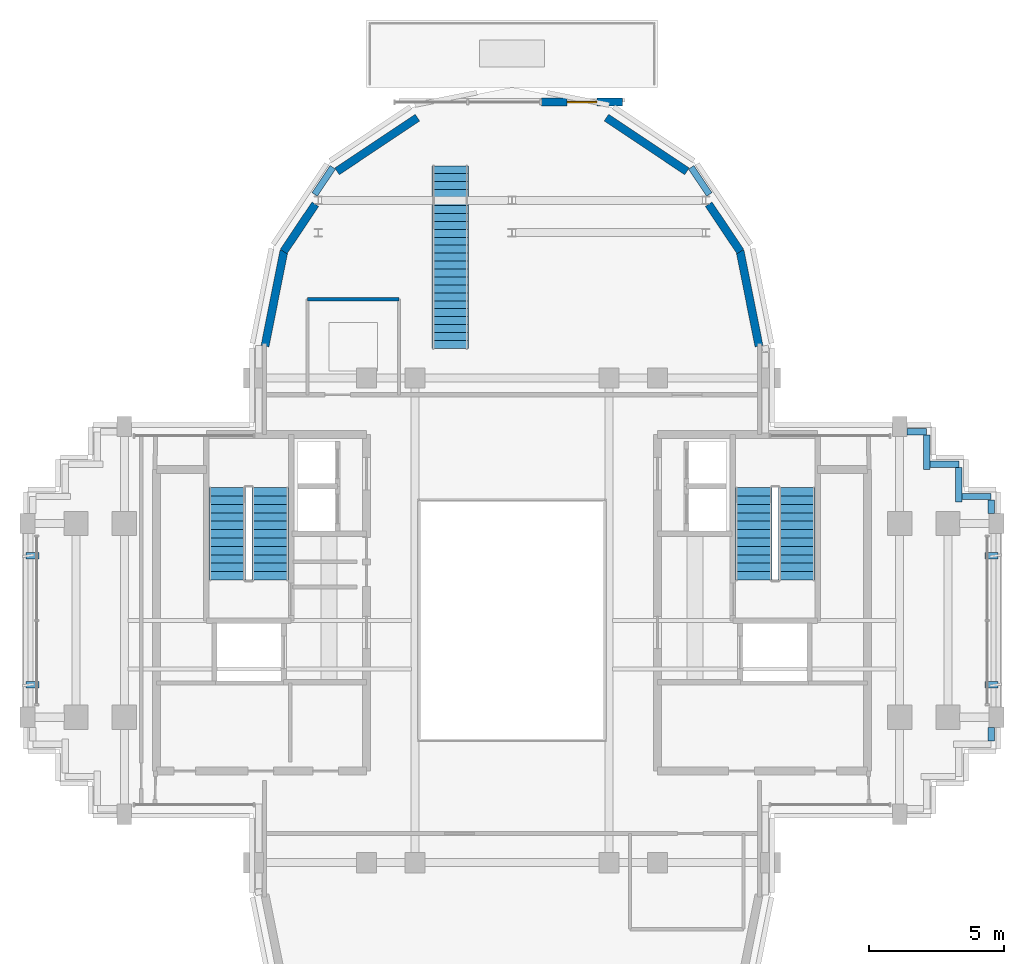
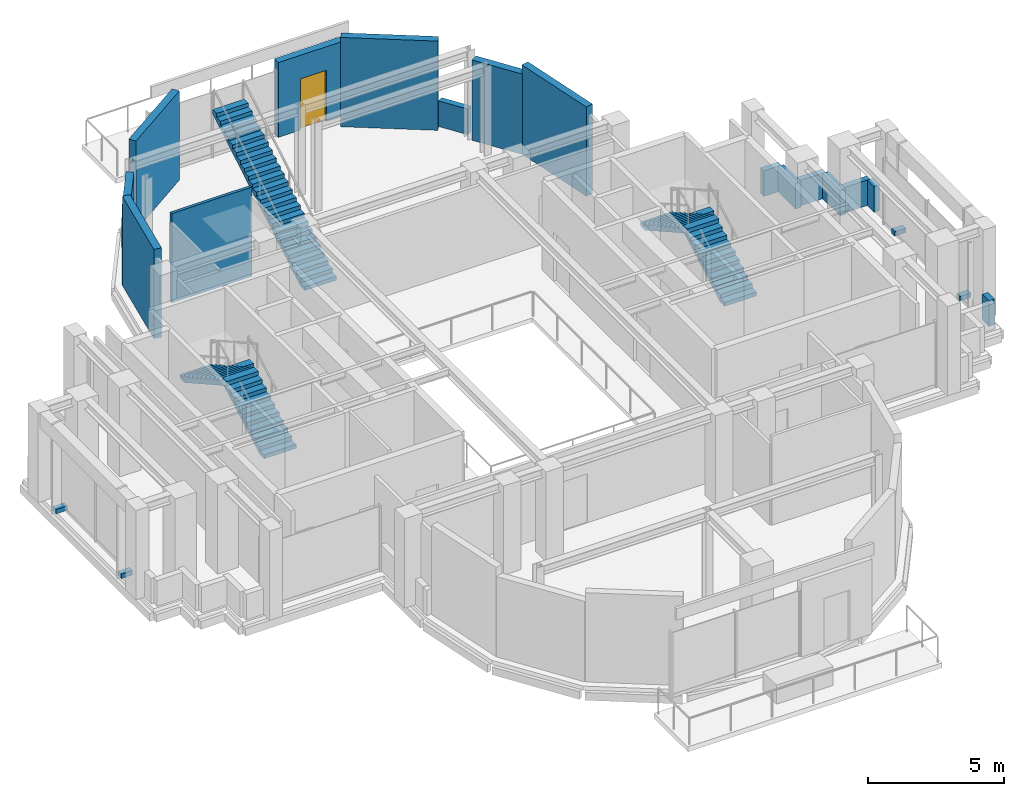
# One storey, part 10 of 14: 17 walls, 5 stair flights, 4 discrete accessories, 1 door, 1 opening, 3 elements without a shape of their own.
"""IFC4 building model written with IfcOpenShell, lengths in metres."""

from ifc_helpers import new_model, si_unit, direction, frame, frame_2d, origin, origin_2d, place, context, subcontext, project, spatial, polyline, rectangle, outline, extrude, source, transform, mapped, material, layer, layer_set, type_object, element, fill, aggregate, save


model = new_model("IFC4")

# Units and contexts
model_context = context("Model", 3, precision=1e-05, world=origin(), true_north=direction((0.0, 1.0)))
body_context = subcontext(model_context, "Body", "Model", "MODEL_VIEW")
ifc_project = project(units=[si_unit("LENGTHUNIT", "METRE"), si_unit("AREAUNIT", "SQUARE_METRE"), si_unit("VOLUMEUNIT", "CUBIC_METRE"), si_unit("PLANEANGLEUNIT", "RADIAN"), si_unit("MASSUNIT", "GRAM", prefix="KILO")], contexts=[model_context])

# Site, building, storey
site_placement = place(None, origin())
site = spatial("IfcSite", under=ifc_project, at=site_placement, CompositionType="ELEMENT")
building_placement = place(site_placement, origin())
building = spatial("IfcBuilding", under=site, at=building_placement, Name="Keilestroom Media Tower", CompositionType="ELEMENT")
storey_placement = place(building_placement, frame((0.0, 0.0, 219.39990234375)))
storey = spatial("IfcBuildingStorey", under=building, at=storey_placement, Name="L60", CompositionType="ELEMENT", Elevation=219.39990234375)

# Walls
ifc_material_1 = material(Name="Precast concrete C40/50", Category="concrete")
ifc_layer_1 = layer(ifc_material_1, 0.300048828125)
ifc_layer_set_1 = layer_set([ifc_layer_1], Name="Precast concrete C40/50")
wall_type_1 = type_object("IfcWallType", Name="Exterior-Masonry-Spandrel-Wall-300", PredefinedType="SOLIDWALL", material=ifc_layer_set_1)
wall_1_placement = place(storey_placement, frame((9.1748046875, 10.185302734375, 0.0), z_axis=(0.0, 0.0, 1.0), x_axis=(-0.195114232679, 0.980780523974, 0.0)))
element("IfcWall", 1, at=wall_1_placement, inside=storey, type_object=wall_type_1, Name="L60 Lobe Facet Precast Frame Wall 01", PredefinedType="SOLIDWALL", context=body_context, shape_type="SweptSolid", body=[
    extrude(rectangle(XDim=3.608642578125, YDim=0.300048828125, at=frame_2d((1.80419921875, 0.0))), origin(), (0.0, 0.0, 1.0), 4.010009765625),
])
wall_2_placement = place(storey_placement, frame((8.48193359375, 13.697509765625, 0.0), z_axis=(0.0, 0.0, 1.0), x_axis=(-0.555604299396, 0.831446848868, 0.0)))
element("IfcWall", 2, at=wall_2_placement, inside=storey, type_object=wall_type_1, Name="L60 Lobe Facet Precast Frame Wall 02", PredefinedType="SOLIDWALL", context=body_context, shape_type="SweptSolid", body=[
    extrude(rectangle(XDim=2.117919921875, YDim=0.300048828125, at=frame_2d((1.05908203125, 0.0))), origin(), (0.0, 0.0, 1.0), 3.610107421875),
])
for number, where, z_axis, x_axis, name in (
    (3, (6.497802734375, 16.677001953125, 0.0), (0.0, 0.0, 1.0), (-0.831443568068, 0.555609208993, 0.0), "L60 Lobe Facet Precast Frame Wall 03"),
    (4, (-3.510009765625, 18.673583984375, 0.0), (0.0, 0.0, 1.0), (-0.831443568068, -0.555609208993, 0.0), "L60 Lobe Facet Precast Frame Wall 04"),
):
    element("IfcWall", number, at=place(storey_placement, frame(where, z_axis=z_axis, x_axis=x_axis)), inside=storey, type_object=wall_type_1, Name=name, PredefinedType="SOLIDWALL", context=body_context, shape_type="SweptSolid", body=[
        extrude(rectangle(XDim=3.593505859375, YDim=0.300048828125, at=frame_2d((1.796875, 0.0))), origin(), (0.0, 0.0, 1.0), 4.010009765625),
    ])
wall_3_placement = place(storey_placement, frame((-7.30517578125, 15.45849609375, 0.0), z_axis=(0.0, 0.0, 1.0), x_axis=(-0.555604299396, -0.831446848868, 0.0)))
element("IfcWall", 5, at=wall_3_placement, inside=storey, type_object=wall_type_1, Name="L60 Lobe Facet Precast Frame Wall 05", PredefinedType="SOLIDWALL", context=body_context, shape_type="SweptSolid", body=[
    extrude(rectangle(XDim=2.117919921875, YDim=0.300048828125, at=frame_2d((1.05908203125, 0.0))), origin(), (0.0, 0.0, 1.0), 3.610107421875),
])
wall_4_placement = place(storey_placement, frame((-8.470703125, 13.724609375, 0.0), z_axis=(0.0, 0.0, 1.0), x_axis=(-0.195114232679, -0.980780523974, 0.0)))
element("IfcWall", 6, at=wall_4_placement, inside=storey, type_object=wall_type_1, Name="L60 Lobe Facet Precast Frame Wall 06", PredefinedType="SOLIDWALL", context=body_context, shape_type="SweptSolid", body=[
    extrude(rectangle(XDim=3.608642578125, YDim=0.300048828125, at=frame_2d((1.80419921875, 0.0))), origin(), (0.0, 0.0, 1.0), 4.010009765625),
])

# Wall, opening, door
wall_5_placement = place(storey_placement, frame((1.10009765625, 19.25, 0.0), z_axis=(0.0, 0.0, 1.0), x_axis=(1.0, 0.0, 0.0)))
wall_5 = element("IfcWall", 7, at=wall_5_placement, inside=storey, type_object=wall_type_1, Name="L60 Terrace Threshold Wall SG60-N", PredefinedType="SOLIDWALL", context=body_context, shape_type="SweptSolid", body=[
    extrude(rectangle(XDim=3.0, YDim=0.300048828125, at=frame_2d((1.5, 0.0))), origin(), (0.0, 0.0, 1.0), 3.360107421875),
])
opening_placement = place(wall_5_placement, frame((0.949951171875, 0.0, 0.0)))
opening = element("IfcOpeningElement", 8, at=opening_placement, cuts=wall_5, Name="Opening DE-02", PredefinedType="OPENING", context=body_context, shape_type="SweptSolid", body=[
    extrude(rectangle(XDim=1.10009765625, YDim=2.300048828125, at=frame_2d((0.550048828125, 1.14990234375))), frame((0.0, 0.16015625, 0.0), z_axis=(0.0, -1.0, 0.0), x_axis=(1.0, 0.0, 0.0)), (0.0, 0.0, 1.0), 0.320068359375),
])
ifc_material_2 = material(Name="Thermally Broken Aluminium & Laminated Glass", Category="aluminium")
door_type = type_object("IfcDoorType", Name="Exterior-Entrance-And-Terrace-Door-DE-02", OperationType="NOTDEFINED", PredefinedType="DOOR", material=ifc_material_2)
shared_shape_1 = source(origin(), body_context, "Body", "SweptSolid", [
    extrude(rectangle(XDim=1.10009765625, YDim=2.300048828125, at=frame_2d((0.550048828125, 1.14990234375))), frame((0.0, 0.02490234375, 0.0), z_axis=(0.0, -1.0, 0.0), x_axis=(1.0, 0.0, 0.0)), (0.0, 0.0, 1.0), 0.050048828125),
])
door_placement = place(opening_placement, origin())
door = element("IfcDoor", 9, at=door_placement, inside=storey, type_object=door_type, Name="L60 Terrace Access Door DE-02 SG60-N", OperationType="SINGLE_SWING_LEFT", OverallHeight=2.300048828125, OverallWidth=1.10009765625, PredefinedType="DOOR", context=body_context, shape_type="MappedRepresentation", body=[
    mapped(shared_shape_1, transform((0.0, 0.0, 0.0), x_axis=(1.0, 0.0, 0.0), y_axis=(0.0, 1.0, 0.0), z_axis=(0.0, 0.0, 1.0), scale=1.0)),
])
fill(opening, door)

# Walls
ifc_material_3 = material(Name="Gypsum Plasterboard & Steel Stud", Category="steel")
ifc_layer_2 = layer(ifc_material_3, 0.1201171875)
ifc_layer_set_2 = layer_set([ifc_layer_2], Name="Gypsum Plasterboard & Steel Stud")
wall_type_2 = type_object("IfcWallType", Name="Interior-Partition-Wall-120", PredefinedType="PARTITIONING", material=ifc_layer_set_2)
wall_6_placement = place(storey_placement, frame((-7.60009765625, 11.929931640625, 0.0), z_axis=(0.0, 0.0, 1.0), x_axis=(1.0, 0.0, 0.0)))
element("IfcWall", 10, at=wall_6_placement, inside=storey, type_object=wall_type_2, Name="L60 Interior Wall WP-L60-NL-WC-N", PredefinedType="PARTITIONING", context=body_context, shape_type="SweptSolid", body=[
    extrude(rectangle(XDim=3.400146484375, YDim=0.1201171875, at=frame_2d((1.7001953125, 0.0))), origin(), (0.0, 0.0, 1.0), 4.010009765625),
])
ifc_layer_3 = layer(ifc_material_1, 0.239990234375)
ifc_layer_set_3 = layer_set([ifc_layer_3], Name="Precast concrete C40/50")
wall_type_3 = type_object("IfcWallType", Name="Roof-And-Terrace-Parapet-Wall-240", PredefinedType="PARAPET", material=ifc_layer_set_3)
for number, where, z_axis, x_axis, name in (
    (11, (-7.328125, 15.8203125, 0.0), (0.0, 0.0, 1.0), (0.555585388542, 0.831459485506, 0.0), "L60 Perimeter Edge Parapet Wall 26"),
    (12, (6.656494140625, 16.825439453125, 0.0), (0.0, 0.0, 1.0), (0.555585388542, -0.831459485506, 0.0), "L60 Perimeter Edge Parapet Wall 27"),
):
    element("IfcWall", number, at=place(storey_placement, frame(where, z_axis=z_axis, x_axis=x_axis)), inside=storey, type_object=wall_type_3, Name=name, PredefinedType="PARAPET", context=body_context, shape_type="SweptSolid", body=[
        extrude(rectangle(XDim=1.208984375, YDim=0.239990234375, at=frame_2d((0.6044921875, 0.0))), origin(), (0.0, 0.0, 1.0), 1.150146484375),
    ])
wall_7_placement = place(storey_placement, frame((14.677978515625, 7.0, 0.0), z_axis=(0.0, 0.0, 1.0), x_axis=(1.0, 0.0, 0.0)))
element("IfcWall", 13, at=wall_7_placement, inside=storey, type_object=wall_type_3, Name="L60 Perimeter Edge Parapet Wall 31", PredefinedType="PARAPET", context=body_context, shape_type="SweptSolid", body=[
    extrude(rectangle(XDim=0.721923828125, YDim=0.239990234375, at=frame_2d((0.36083984375, 0.0))), origin(), (0.0, 0.0, 1.0), 1.150146484375),
])
wall_8_placement = place(storey_placement, frame((15.39990234375, 6.876953125, 0.0), z_axis=(0.0, 0.0, 1.0), x_axis=(0.0, -1.0, 0.0)))
element("IfcWall", 14, at=wall_8_placement, inside=storey, type_object=wall_type_3, Name="L60 Perimeter Edge Parapet Wall 32", PredefinedType="PARAPET", context=body_context, shape_type="SweptSolid", body=[
    extrude(rectangle(XDim=1.27685546875, YDim=0.239990234375, at=frame_2d((0.638427734375, 0.0))), origin(), (0.0, 0.0, 1.0), 1.150146484375),
])
wall_9_placement = place(storey_placement, frame((15.52294921875, 5.800048828125, 0.0), z_axis=(0.0, 0.0, 1.0), x_axis=(1.0, 0.0, 0.0)))
element("IfcWall", 15, at=wall_9_placement, inside=storey, type_object=wall_type_3, Name="L60 Perimeter Edge Parapet Wall 33", PredefinedType="PARAPET", context=body_context, shape_type="SweptSolid", body=[
    extrude(rectangle(XDim=1.0771484375, YDim=0.239990234375, at=frame_2d((0.53857421875, 0.0))), origin(), (0.0, 0.0, 1.0), 1.150146484375),
])
wall_10_placement = place(storey_placement, frame((16.60009765625, 5.677001953125, 0.0), z_axis=(0.0, 0.0, 1.0), x_axis=(0.0, -1.0, 0.0)))
element("IfcWall", 16, at=wall_10_placement, inside=storey, type_object=wall_type_3, Name="L60 Perimeter Edge Parapet Wall 34", PredefinedType="PARAPET", context=body_context, shape_type="SweptSolid", body=[
    extrude(rectangle(XDim=1.277099609375, YDim=0.239990234375, at=frame_2d((0.638671875, 0.0))), origin(), (0.0, 0.0, 1.0), 1.150146484375),
])
wall_11_placement = place(storey_placement, frame((16.722900390625, 4.60009765625, 0.0), z_axis=(0.0, 0.0, 1.0), x_axis=(1.0, 0.0, 0.0)))
element("IfcWall", 17, at=wall_11_placement, inside=storey, type_object=wall_type_3, Name="L60 Perimeter Edge Parapet Wall 35", PredefinedType="PARAPET", context=body_context, shape_type="SweptSolid", body=[
    extrude(rectangle(XDim=1.0771484375, YDim=0.239990234375, at=frame_2d((0.53857421875, 0.0))), origin(), (0.0, 0.0, 1.0), 1.150146484375),
])
for number, where, z_axis, x_axis, name in (
    (18, (17.800048828125, 4.47705078125, 0.0), (0.0, 0.0, 1.0), (0.0, -1.0, 0.0), "L60 Perimeter Edge Parapet Wall 36"),
    (19, (17.800048828125, -3.97802734375, 0.0), (0.0, 0.0, 1.0), (0.0, -1.0, 0.0), "L60 Perimeter Edge Parapet Wall 37"),
):
    element("IfcWall", number, at=place(storey_placement, frame(where, z_axis=z_axis, x_axis=x_axis)), inside=storey, type_object=wall_type_3, Name=name, PredefinedType="PARAPET", context=body_context, shape_type="SweptSolid", body=[
        extrude(rectangle(XDim=0.4990234375, YDim=0.239990234375, at=frame_2d((0.24951171875, 0.0))), origin(), (0.0, 0.0, 1.0), 1.150146484375),
    ])

# Stair, stair flights
ifc_material_4 = material(Name="Concrete C45/55", Category="concrete")
stair_type_1 = type_object("IfcStairType", Name="Enclosed-Dog-Leg-Stair-ST-CORE", PredefinedType="HALF_TURN_STAIR", material=ifc_material_4)
stair_1_placement = place(storey_placement, origin())
stair_1 = element("IfcStair", 20, at=stair_1_placement, inside=storey, type_object=stair_type_1, Name="L60 West Core Escape Stair ST-1", PredefinedType="HALF_TURN_STAIR")
stair_flight_type_1 = type_object("IfcStairFlightType", Name="Precast-Concrete-Stair-Flight-Core-160", PredefinedType="STRAIGHT", material=ifc_material_1)
stair_flight_1_placement = place(storey_placement, frame((-8.97998046875, 1.5, 0.0), z_axis=(0.0, 0.0, 1.0), x_axis=(0.0, 1.0, 0.0)))
stair_flight_1 = element("IfcStairFlight", 21, at=stair_flight_1_placement, type_object=stair_flight_type_1, Name="ST-1 flight 1", NumberOfRisers=12, NumberOfTreads=11, PredefinedType="STRAIGHT", RiserHeight=0.175, TreadLength=0.312, context=body_context, shape_type="SweptSolid", body=[
    extrude(outline(polyline([(0.0, 0.0), (0.0, 0.175048828125), (0.31201171875, 0.175048828125), (0.31201171875, 0.35009765625), (0.6240234375, 0.35009765625), (0.6240234375, 0.52490234375), (0.93603515625, 0.52490234375), (0.93603515625, 0.699951171875), (1.248046875, 0.699951171875), (1.248046875, 0.875), (1.56005859375, 0.875), (1.56005859375, 1.050048828125), (1.8720703125, 1.050048828125), (1.8720703125, 1.22509765625), (2.18408203125, 1.22509765625), (2.18408203125, 1.39990234375), (2.49609375, 1.39990234375), (2.49609375, 1.574951171875), (2.80810546875, 1.574951171875), (2.80810546875, 1.75), (3.1201171875, 1.75), (3.1201171875, 1.925048828125), (3.431884765625, 1.925048828125), (3.431884765625, 2.10009765625), (3.431884765625, 1.74169921875), (0.326904296875, 0.0), (0.0, 0.0)])), frame((0.0, 0.68017578125, 0.0), z_axis=(0.0, -1.0, 0.0), x_axis=(1.0, 0.0, 0.0)), (0.0, 0.0, 1.0), 1.360107421875),
])
stair_flight_2_placement = place(storey_placement, frame((-10.580078125, 4.931884765625, 2.10009765625), z_axis=(0.0, 0.0, 1.0), x_axis=(0.0, -1.0, 0.0)))
stair_flight_2 = element("IfcStairFlight", 22, at=stair_flight_2_placement, type_object=stair_flight_type_1, Name="ST-1 flight 2", NumberOfRisers=12, NumberOfTreads=11, PredefinedType="STRAIGHT", RiserHeight=0.175, TreadLength=0.312, context=body_context, shape_type="SweptSolid", body=[
    extrude(outline(polyline([(0.0, 0.0), (0.0, 0.175048828125), (0.31201171875, 0.175048828125), (0.31201171875, 0.35009765625), (0.6240234375, 0.35009765625), (0.6240234375, 0.52490234375), (0.93603515625, 0.52490234375), (0.93603515625, 0.699951171875), (1.248046875, 0.699951171875), (1.248046875, 0.875), (1.56005859375, 0.875), (1.56005859375, 1.050048828125), (1.8720703125, 1.050048828125), (1.8720703125, 1.22509765625), (2.18408203125, 1.22509765625), (2.18408203125, 1.39990234375), (2.49609375, 1.39990234375), (2.49609375, 1.574951171875), (2.80810546875, 1.574951171875), (2.80810546875, 1.75), (3.1201171875, 1.75), (3.1201171875, 1.925048828125), (3.431884765625, 1.925048828125), (3.431884765625, 2.10009765625), (3.431884765625, 1.74169921875), (0.326904296875, 0.0), (0.0, 0.0)])), frame((0.0, 0.68017578125, 0.0), z_axis=(0.0, -1.0, 0.0), x_axis=(1.0, 0.0, 0.0)), (0.0, 0.0, 1.0), 1.360107421875),
])
aggregate(stair_1, [stair_flight_1, stair_flight_2])

stair_2_placement = place(storey_placement, origin())
stair_2 = element("IfcStair", 23, at=stair_2_placement, inside=storey, type_object=stair_type_1, Name="L60 East Core Escape Stair ST-2", PredefinedType="HALF_TURN_STAIR")
stair_flight_3_placement = place(storey_placement, frame((10.580078125, 1.5, 0.0), z_axis=(0.0, 0.0, 1.0), x_axis=(0.0, 1.0, 0.0)))
stair_flight_3 = element("IfcStairFlight", 24, at=stair_flight_3_placement, type_object=stair_flight_type_1, Name="ST-2 flight 1", NumberOfRisers=12, NumberOfTreads=11, PredefinedType="STRAIGHT", RiserHeight=0.175, TreadLength=0.312, context=body_context, shape_type="SweptSolid", body=[
    extrude(outline(polyline([(0.0, 0.0), (0.0, 0.175048828125), (0.31201171875, 0.175048828125), (0.31201171875, 0.35009765625), (0.6240234375, 0.35009765625), (0.6240234375, 0.52490234375), (0.93603515625, 0.52490234375), (0.93603515625, 0.699951171875), (1.248046875, 0.699951171875), (1.248046875, 0.875), (1.56005859375, 0.875), (1.56005859375, 1.050048828125), (1.8720703125, 1.050048828125), (1.8720703125, 1.22509765625), (2.18408203125, 1.22509765625), (2.18408203125, 1.39990234375), (2.49609375, 1.39990234375), (2.49609375, 1.574951171875), (2.80810546875, 1.574951171875), (2.80810546875, 1.75), (3.1201171875, 1.75), (3.1201171875, 1.925048828125), (3.431884765625, 1.925048828125), (3.431884765625, 2.10009765625), (3.431884765625, 1.74169921875), (0.326904296875, 0.0), (0.0, 0.0)])), frame((0.0, 0.68017578125, 0.0), z_axis=(0.0, -1.0, 0.0), x_axis=(1.0, 0.0, 0.0)), (0.0, 0.0, 1.0), 1.360107421875),
])
stair_flight_4_placement = place(storey_placement, frame((8.97998046875, 4.931884765625, 2.10009765625), z_axis=(0.0, 0.0, 1.0), x_axis=(0.0, -1.0, 0.0)))
stair_flight_4 = element("IfcStairFlight", 25, at=stair_flight_4_placement, type_object=stair_flight_type_1, Name="ST-2 flight 2", NumberOfRisers=12, NumberOfTreads=11, PredefinedType="STRAIGHT", RiserHeight=0.175, TreadLength=0.312, context=body_context, shape_type="SweptSolid", body=[
    extrude(outline(polyline([(0.0, 0.0), (0.0, 0.175048828125), (0.31201171875, 0.175048828125), (0.31201171875, 0.35009765625), (0.6240234375, 0.35009765625), (0.6240234375, 0.52490234375), (0.93603515625, 0.52490234375), (0.93603515625, 0.699951171875), (1.248046875, 0.699951171875), (1.248046875, 0.875), (1.56005859375, 0.875), (1.56005859375, 1.050048828125), (1.8720703125, 1.050048828125), (1.8720703125, 1.22509765625), (2.18408203125, 1.22509765625), (2.18408203125, 1.39990234375), (2.49609375, 1.39990234375), (2.49609375, 1.574951171875), (2.80810546875, 1.574951171875), (2.80810546875, 1.75), (3.1201171875, 1.75), (3.1201171875, 1.925048828125), (3.431884765625, 1.925048828125), (3.431884765625, 2.10009765625), (3.431884765625, 1.74169921875), (0.326904296875, 0.0), (0.0, 0.0)])), frame((0.0, 0.68017578125, 0.0), z_axis=(0.0, -1.0, 0.0), x_axis=(1.0, 0.0, 0.0)), (0.0, 0.0, 1.0), 1.360107421875),
])
aggregate(stair_2, [stair_flight_3, stair_flight_4])

# Stair, stair flight
ifc_material_5 = material(Name="Steel S355", Category="steel")
stair_type_2 = type_object("IfcStairType", Name="Inter-Floor-Feature-Stair-ST-FEAT", PredefinedType="STRAIGHT_RUN_STAIR", material=ifc_material_5)
stair_3_placement = place(storey_placement, origin())
stair_3 = element("IfcStair", 26, at=stair_3_placement, inside=storey, type_object=stair_type_2, Name="L60-L61 Atrium Feature Stair ST-F1", PredefinedType="STRAIGHT_RUN_STAIR")
stair_flight_type_2 = type_object("IfcStairFlightType", Name="Steel-Feature-Stair-Flight-160", PredefinedType="STRAIGHT", material=ifc_material_5)
stair_flight_5_placement = place(storey_placement, frame((-2.300048828125, 10.10009765625, 0.0), z_axis=(0.0, 0.0, 1.0), x_axis=(0.0, 1.0, 0.0)))
stair_flight_5 = element("IfcStairFlight", 27, at=stair_flight_5_placement, type_object=stair_flight_type_2, Name="ST-F1 Straight Feature Flight", NumberOfRisers=24, NumberOfTreads=23, PredefinedType="STRAIGHT", RiserHeight=0.175, TreadLength=0.295, context=body_context, shape_type="SweptSolid", body=[
    extrude(outline(polyline([(0.0, 0.0), (0.0, 0.175048828125), (0.294921875, 0.175048828125), (0.294921875, 0.35009765625), (0.590087890625, 0.35009765625), (0.590087890625, 0.52490234375), (0.885009765625, 0.52490234375), (0.885009765625, 0.699951171875), (1.179931640625, 0.699951171875), (1.179931640625, 0.875), (1.47509765625, 0.875), (1.47509765625, 1.050048828125), (1.77001953125, 1.050048828125), (1.77001953125, 1.22509765625), (2.06494140625, 1.22509765625), (2.06494140625, 1.39990234375), (2.360107421875, 1.39990234375), (2.360107421875, 1.574951171875), (2.655029296875, 1.574951171875), (2.655029296875, 1.75), (2.949951171875, 1.75), (2.949951171875, 1.925048828125), (3.2451171875, 1.925048828125), (3.2451171875, 2.10009765625), (3.5400390625, 2.10009765625), (3.5400390625, 2.27490234375), (3.8349609375, 2.27490234375), (3.8349609375, 2.449951171875), (4.1298828125, 2.449951171875), (4.1298828125, 2.625), (4.425048828125, 2.625), (4.425048828125, 2.800048828125), (4.719970703125, 2.800048828125), (4.719970703125, 2.97509765625), (5.014892578125, 2.97509765625), (5.014892578125, 3.14990234375), (5.31005859375, 3.14990234375), (5.31005859375, 3.324951171875), (5.60498046875, 3.324951171875), (5.60498046875, 3.5), (5.89990234375, 3.5), (5.89990234375, 3.675048828125), (6.195068359375, 3.675048828125), (6.195068359375, 3.85009765625), (6.489990234375, 3.85009765625), (6.489990234375, 4.02490234375), (6.784912109375, 4.02490234375), (6.784912109375, 4.199951171875), (6.784912109375, 3.839111328125), (0.3134765625, 0.0), (0.0, 0.0)])), frame((0.0, 0.675048828125, 0.0), z_axis=(0.0, -1.0, 0.0), x_axis=(1.0, 0.0, 0.0)), (0.0, 0.0, 1.0), 1.35009765625),
])
aggregate(stair_3, [stair_flight_5])

# Discrete accessories
ifc_material_6 = material(Name="Stainless Steel 1.4401", Category="steel")
discrete_accessory_type = type_object("IfcDiscreteAccessoryType", Name="Facade-Fin-Fixing-Bracket-BRK-1", PredefinedType="BRACKET", material=ifc_material_6)
shared_shape_2 = source(origin(), body_context, "Body", "SweptSolid", [
    extrude(rectangle(XDim=0.47998046875, YDim=0.239990234375, at=origin_2d()), origin(), (0.0, 0.0, 1.0), 0.199951171875),
])
for number, where, z_axis, x_axis, name in (
    (28, (-17.81005859375, -2.39990234375, -0.009765625), (0.0, 0.0, 1.0), (1.0, 0.0, 0.0), "L60 Sunshade Fin Bracket BRK-1 089"),
    (29, (-17.81005859375, 2.39990234375, -0.009765625), (0.0, 0.0, 1.0), (1.0, 0.0, 0.0), "L60 Sunshade Fin Bracket BRK-1 090"),
    (30, (17.81005859375, -2.39990234375, -0.009765625), (0.0, 0.0, 1.0), (1.0, 0.0, 0.0), "L60 Sunshade Fin Bracket BRK-1 091"),
    (31, (17.81005859375, 2.39990234375, -0.009765625), (0.0, 0.0, 1.0), (1.0, 0.0, 0.0), "L60 Sunshade Fin Bracket BRK-1 092"),
):
    element("IfcDiscreteAccessory", number, at=place(storey_placement, frame(where, z_axis=z_axis, x_axis=x_axis)), inside=storey, type_object=discrete_accessory_type, Name=name, PredefinedType="BRACKET", context=body_context, shape_type="MappedRepresentation", body=[
        mapped(shared_shape_2, transform((0.0, 0.0, 0.0), x_axis=(1.0, 0.0, 0.0), y_axis=(0.0, 1.0, 0.0), z_axis=(0.0, 0.0, 1.0), scale=1.0)),
    ])

save(model, "model.ifc")
